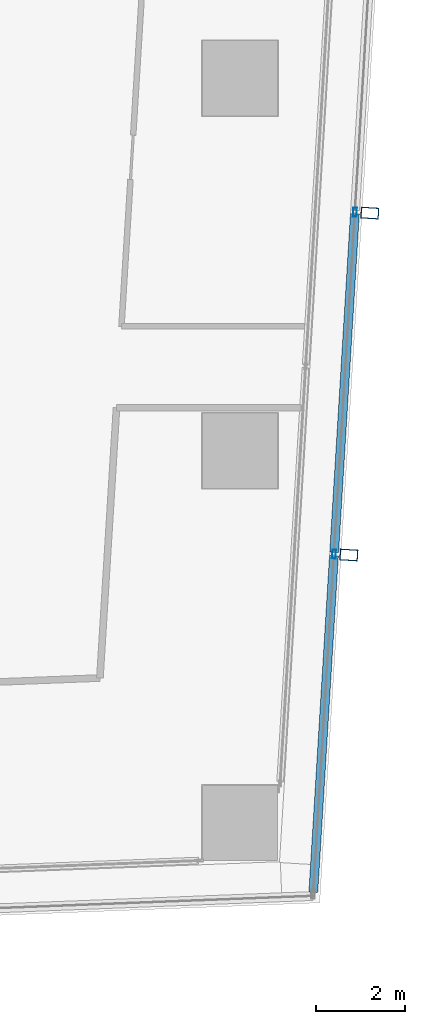
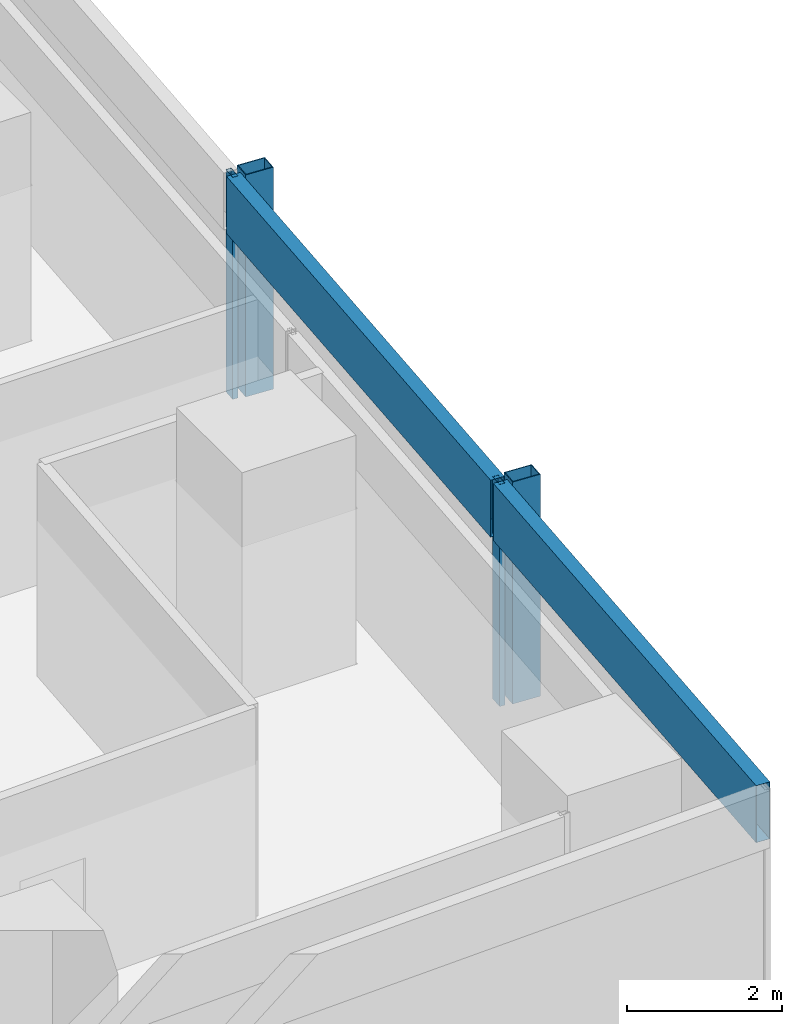
# One storey, part 23 of 40: 6 members, 1 element without a shape of its own.
"""IFC4 building model written with IfcOpenShell, lengths in metres."""

from ifc_helpers import new_model, si_unit, direction, frame, origin, origin_2d, place, context, subcontext, project, spatial, hollow_rectangle, extrude, material, material_profile, profile_set, type_object, element, aggregate, save


model = new_model("IFC4")

# Units and contexts
model_context = context("Model", 3, precision=1e-05, world=origin(), true_north=direction((0.0, 1.0)))
body_context = subcontext(model_context, "Body", "Model", "MODEL_VIEW")
ifc_project = project(units=[si_unit("LENGTHUNIT", "METRE"), si_unit("AREAUNIT", "SQUARE_METRE"), si_unit("VOLUMEUNIT", "CUBIC_METRE"), si_unit("PLANEANGLEUNIT", "RADIAN"), si_unit("MASSUNIT", "GRAM", prefix="KILO")], contexts=[model_context])

# Site, building, storey
site_placement = place(None, origin())
site = spatial("IfcSite", under=ifc_project, at=site_placement, CompositionType="ELEMENT")
building_placement = place(site_placement, origin())
building = spatial("IfcBuilding", under=site, at=building_placement, Name="Rekha Terrace Tower", CompositionType="ELEMENT")
storey_placement = place(building_placement, frame((0.0, 0.0, 121.550048828125)))
storey = spatial("IfcBuildingStorey", under=building, at=storey_placement, Name="L30", CompositionType="ELEMENT", Elevation=121.550048828125)

# Curtain wall, members
ifc_material_1 = material(Name="Aluminium framing", Category="aluminium")
curtain_wall_type = type_object("IfcCurtainWallType", Name="CW2 double skin outer glazing", PredefinedType="USERDEFINED", material=ifc_material_1)
curtain_wall_placement = place(storey_placement, origin())
curtain_wall = element("IfcCurtainWall", 1, at=curtain_wall_placement, inside=storey, type_object=curtain_wall_type, Name="CW2 double skin outer glazing", ObjectType="DOUBLE SKIN OUTER GLAZING", PredefinedType="USERDEFINED")
ifc_material_2 = material(Name="Steel S355 with fluorocarbon finish", Category="steel")
ifc_material_profile_1 = material_profile(ifc_material_2, hollow_rectangle(XDim=0.25, YDim=0.39990234375, WallThickness=0.012451171875, at=origin_2d()), Name="RHS400x250x12.5")
ifc_profile_set_1 = profile_set([ifc_material_profile_1], Name="Steel S355 with fluorocarbon finish")
member_type_1 = type_object("IfcMemberType", Name="BL1 facade blade RHS 400 x 250", PredefinedType="USERDEFINED", material=ifc_profile_set_1)
member_1_placement = place(storey_placement, frame((69.656005859375, 22.845703125, 0.0), z_axis=(0.0, 0.0, 1.0), x_axis=(0.061160031881, 0.998127973008, 0.0)))
member_1 = element("IfcMember", 2, at=member_1_placement, type_object=member_type_1, Name="Facade blade", ObjectType="FACADE BLADE", PredefinedType="USERDEFINED", context=body_context, shape_type="SweptSolid", body=[
    extrude(hollow_rectangle(XDim=0.25, YDim=0.39990234375, WallThickness=0.012451171875, at=origin_2d()), origin(), (0.0, 0.0, 1.0), 3.5),
])
member_2_placement = place(storey_placement, frame((70.128662109375, 30.557861328125, 0.0), z_axis=(0.0, 0.0, 1.0), x_axis=(0.061160031881, 0.998127973008, 0.0)))
member_2 = element("IfcMember", 3, at=member_2_placement, type_object=member_type_1, Name="Facade blade", ObjectType="FACADE BLADE", PredefinedType="USERDEFINED", context=body_context, shape_type="SweptSolid", body=[
    extrude(hollow_rectangle(XDim=0.25, YDim=0.39990234375, WallThickness=0.012451171875, at=origin_2d()), origin(), (0.0, 0.0, 1.0), 3.5),
])
ifc_material_3 = material(Name="Aluminium mullion section", Category="aluminium")
ifc_material_profile_2 = material_profile(ifc_material_3, hollow_rectangle(XDim=0.080078125, YDim=0.199951171875, WallThickness=0.00390625, at=origin_2d()), Name="AL RHS 80x200")
ifc_profile_set_2 = profile_set([ifc_material_profile_2], Name="Aluminium mullion section")
member_type_2 = type_object("IfcMemberType", Name="CW2 mullion RHS 80 x 200", PredefinedType="MULLION", material=ifc_profile_set_2)
member_3_placement = place(storey_placement, frame((69.32177734375, 22.8662109375, 0.0), z_axis=(0.0, 0.0, 1.0), x_axis=(-0.998127987024, 0.061159803131, 0.0)))
member_3 = element("IfcMember", 4, at=member_3_placement, type_object=member_type_2, Name="CW2 mullion 2", PredefinedType="MULLION", context=body_context, shape_type="SweptSolid", body=[
    extrude(hollow_rectangle(XDim=0.080078125, YDim=0.199951171875, WallThickness=0.00390625, at=origin_2d()), origin(), (0.0, 0.0, 1.0), 3.5),
])
member_4_placement = place(storey_placement, frame((69.794189453125, 30.578369140625, 0.0), z_axis=(0.0, 0.0, 1.0), x_axis=(-0.998127987024, 0.061159803131, 0.0)))
member_4 = element("IfcMember", 5, at=member_4_placement, type_object=member_type_2, Name="CW2 mullion 3", PredefinedType="MULLION", context=body_context, shape_type="SweptSolid", body=[
    extrude(hollow_rectangle(XDim=0.080078125, YDim=0.199951171875, WallThickness=0.00390625, at=origin_2d()), origin(), (0.0, 0.0, 1.0), 3.5),
])
ifc_material_4 = material(Name="Insulated aluminium spandrel box", Category="aluminium")
ifc_material_profile_3 = material_profile(ifc_material_4, hollow_rectangle(XDim=0.199951171875, YDim=0.89990234375, WallThickness=0.0029296875, at=origin_2d()), Name="AL SPANDREL BOX 200x900")
ifc_profile_set_3 = profile_set([ifc_material_profile_3], Name="Insulated aluminium spandrel box")
member_type_3 = type_object("IfcMemberType", Name="CW2 spandrel transom 200 x 900", PredefinedType="USERDEFINED", material=ifc_profile_set_3)
member_5_placement = place(storey_placement, frame((68.85400390625, 15.234130859375, 3.050048828125), z_axis=(0.061175320944, 0.998127036057, 0.0), x_axis=(-0.998127036057, 0.061175320944, 0.0)))
member_5 = element("IfcMember", 6, at=member_5_placement, type_object=member_type_3, Name="CW2 spandrel transom 1", ObjectType="TRANSOM", PredefinedType="USERDEFINED", context=body_context, shape_type="SweptSolid", body=[
    extrude(hollow_rectangle(XDim=0.199951171875, YDim=0.89990234375, WallThickness=0.0029296875, at=origin_2d()), origin(), (0.0, 0.0, 1.0), 7.6064453125),
])
member_6_placement = place(storey_placement, frame((69.32421875, 22.90625, 3.050048828125), z_axis=(0.061141871886, 0.998129085591, 0.0), x_axis=(-0.998129085591, 0.061141871886, 0.0)))
member_6 = element("IfcMember", 7, at=member_6_placement, type_object=member_type_3, Name="CW2 spandrel transom 2", ObjectType="TRANSOM", PredefinedType="USERDEFINED", context=body_context, shape_type="SweptSolid", body=[
    extrude(hollow_rectangle(XDim=0.199951171875, YDim=0.89990234375, WallThickness=0.0029296875, at=origin_2d()), origin(), (0.0, 0.0, 1.0), 7.646728515625),
])
aggregate(curtain_wall, [member_3, member_4, member_5, member_6, member_1, member_2])

save(model, "model.ifc")
